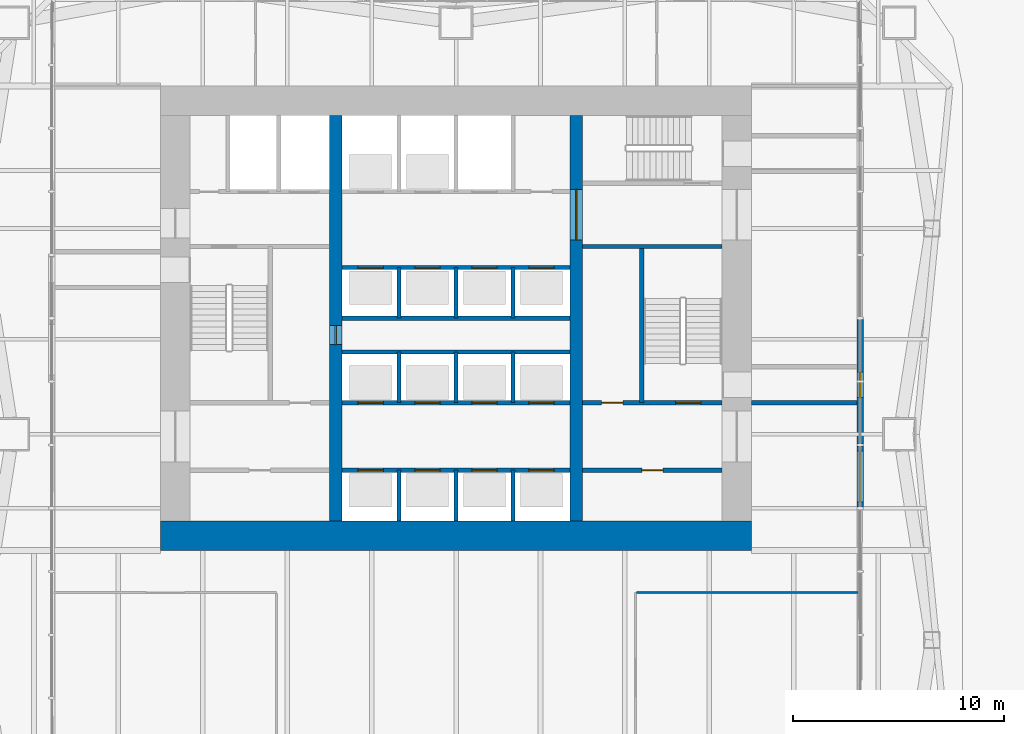
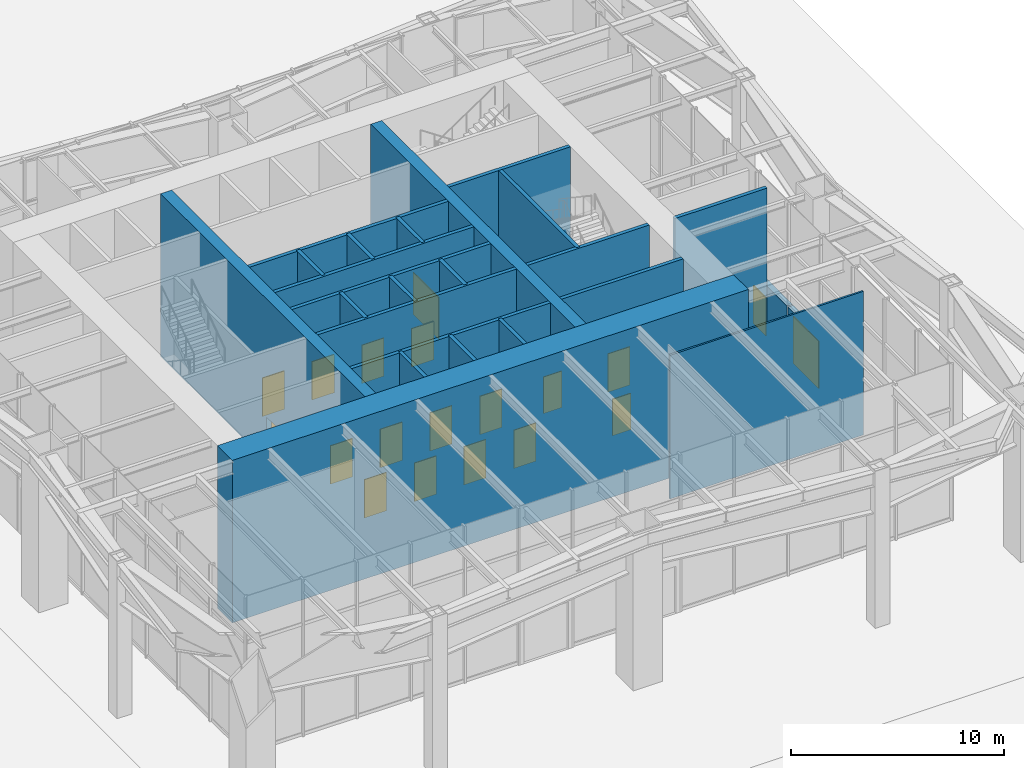
# One storey, part 8 of 13: 25 walls, 19 doors, 19 openings.
"""IFC4 building model written with IfcOpenShell, lengths in metres."""

from ifc_helpers import new_model, si_unit, direction, frame, frame_2d, origin, place, context, subcontext, project, spatial, rectangle, extrude, material, layer, layer_set, type_object, element, fill, save


model = new_model("IFC4")

# Units and contexts
model_context = context("Model", 3, precision=1e-05, world=origin(), true_north=direction((0.0, 1.0)))
body_context = subcontext(model_context, "Body", "Model", "MODEL_VIEW")
ifc_project = project(units=[si_unit("LENGTHUNIT", "METRE"), si_unit("AREAUNIT", "SQUARE_METRE"), si_unit("VOLUMEUNIT", "CUBIC_METRE"), si_unit("PLANEANGLEUNIT", "RADIAN"), si_unit("MASSUNIT", "GRAM", prefix="KILO")], contexts=[model_context])

# Site, building, storey
site_placement = place(None, origin())
site = spatial("IfcSite", under=ifc_project, at=site_placement, CompositionType="ELEMENT")
building_placement = place(site_placement, origin())
building = spatial("IfcBuilding", under=site, at=building_placement, Name="Verdant Reach Tower", CompositionType="ELEMENT")
storey_placement = place(building_placement, origin())
storey = spatial("IfcBuildingStorey", under=building, at=storey_placement, Name="G", CompositionType="ELEMENT", Elevation=0.0)

# Wall
ifc_material_1 = material(Name="Concrete C40/50", Category="concrete")
ifc_layer_1 = layer(ifc_material_1, 0.199951171875)
ifc_layer_set_1 = layer_set([ifc_layer_1], Name="CO-WALL-PASSAGE")
wall_type_1 = type_object("IfcWallType", Name="CO-WALL-PASSAGE", PredefinedType="PARTITIONING", material=ifc_layer_set_1)
wall_1_placement = place(storey_placement, frame((14.0, 24.0, 0.0), z_axis=(0.0, 0.0, 1.0), x_axis=(1.0, 0.0, 0.0)))
element("IfcWall", 1, at=wall_1_placement, inside=storey, type_object=wall_type_1, Name="Exit passage wall, G", PredefinedType="PARTITIONING", context=body_context, shape_type="SweptSolid", body=[
    extrude(rectangle(XDim=5.0, YDim=0.199951171875, at=frame_2d((2.5, 0.0))), origin(), (0.0, 0.0, 1.0), 8.75),
])

# Wall, opening, door
ifc_material_2 = material(Name="Gypsum board on steel studs", Category="steel")
ifc_layer_2 = layer(ifc_material_2, 0.199951171875)
ifc_layer_set_2 = layer_set([ifc_layer_2], Name="CO-WALL-ROOM")
wall_type_2 = type_object("IfcWallType", Name="CO-WALL-ROOM", PredefinedType="PARTITIONING", material=ifc_layer_set_2)
wall_2_placement = place(storey_placement, frame((6.0, 20.800048828125, 0.0), z_axis=(0.0, 0.0, 1.0), x_axis=(1.0, 0.0, 0.0)))
wall_2 = element("IfcWall", 2, at=wall_2_placement, inside=storey, type_object=wall_type_2, Name="Core partition, G", PredefinedType="PARTITIONING", context=body_context, shape_type="SweptSolid", body=[
    extrude(rectangle(XDim=6.60009765625, YDim=0.199951171875, at=frame_2d((3.300048828125, 0.0))), origin(), (0.0, 0.0, 1.0), 8.8701171875),
])
opening_1_placement = place(wall_2_placement, frame((2.800048828125, 0.0, 0.0)))
opening_1 = element("IfcOpeningElement", 3, at=opening_1_placement, cuts=wall_2, Name="Opening CD", PredefinedType="OPENING", context=body_context, shape_type="SweptSolid", body=[
    extrude(rectangle(XDim=1.0, YDim=2.10009765625, at=frame_2d((0.5, 1.050048828125))), frame((0.0, 0.10986328125, 0.0), z_axis=(0.0, -1.0, 0.0), x_axis=(1.0, 0.0, 0.0)), (0.0, 0.0, 1.0), 0.219970703125),
])
ifc_material_3 = material(Name="Timber", Category="wood")
door_type_1 = type_object("IfcDoorType", Name="CO-DOOR-ROOM", OperationType="NOTDEFINED", PredefinedType="DOOR", material=ifc_material_3)
door_1_placement = place(opening_1_placement, origin())
door_1 = element("IfcDoor", 4, at=door_1_placement, inside=storey, type_object=door_type_1, Name="Core room door, G", OperationType="SINGLE_SWING_RIGHT", OverallHeight=2.10009765625, OverallWidth=1.0, PredefinedType="DOOR", context=body_context, shape_type="SweptSolid", body=[
    extrude(rectangle(XDim=1.0, YDim=2.10009765625, at=frame_2d((0.5, 1.050048828125))), frame((0.0, 0.02490234375, 0.0), z_axis=(0.0, -1.0, 0.0), x_axis=(1.0, 0.0, 0.0)), (0.0, 0.0, 1.0), 0.050048828125),
])
fill(opening_1, door_1)

# Wall, openings, doors
ifc_layer_3 = layer(ifc_material_1, 0.199951171875)
ifc_layer_set_3 = layer_set([ifc_layer_3], Name="CO-WALL-SHAFT")
wall_type_3 = type_object("IfcWallType", Name="CO-WALL-SHAFT", PredefinedType="PARTITIONING", material=ifc_layer_set_3)
wall_3_placement = place(storey_placement, frame((-5.39990234375, 20.800048828125, 0.0), z_axis=(0.0, 0.0, 1.0), x_axis=(1.0, 0.0, 0.0)))
wall_3 = element("IfcWall", 5, at=wall_3_placement, inside=storey, type_object=wall_type_3, Name="Lift shaft wall, G", PredefinedType="PARTITIONING", context=body_context, shape_type="SweptSolid", body=[
    extrude(rectangle(XDim=10.7998046875, YDim=0.199951171875, at=frame_2d((5.39990234375, 0.0))), origin(), (0.0, 0.0, 1.0), 8.8701171875),
])
opening_2_placement = place(wall_3_placement, frame((0.75, 0.0, 0.0)))
opening_2 = element("IfcOpeningElement", 6, at=opening_2_placement, cuts=wall_3, Name="Opening LD-A1", PredefinedType="OPENING", context=body_context, shape_type="SweptSolid", body=[
    extrude(rectangle(XDim=1.199951171875, YDim=2.199951171875, at=frame_2d((0.60009765625, 1.10009765625))), frame((0.0, 0.10986328125, 0.0), z_axis=(0.0, -1.0, 0.0), x_axis=(1.0, 0.0, 0.0)), (0.0, 0.0, 1.0), 0.219970703125),
])
opening_3_placement = place(wall_3_placement, frame((3.449951171875, 0.0, 0.0)))
opening_3 = element("IfcOpeningElement", 7, at=opening_3_placement, cuts=wall_3, Name="Opening LD-A2", PredefinedType="OPENING", context=body_context, shape_type="SweptSolid", body=[
    extrude(rectangle(XDim=1.199951171875, YDim=2.199951171875, at=frame_2d((0.60009765625, 1.10009765625))), frame((0.0, 0.10986328125, 0.0), z_axis=(0.0, -1.0, 0.0), x_axis=(1.0, 0.0, 0.0)), (0.0, 0.0, 1.0), 0.219970703125),
])
opening_4_placement = place(wall_3_placement, frame((6.14990234375, 0.0, 0.0)))
opening_4 = element("IfcOpeningElement", 8, at=opening_4_placement, cuts=wall_3, Name="Opening LD-A3", PredefinedType="OPENING", context=body_context, shape_type="SweptSolid", body=[
    extrude(rectangle(XDim=1.199951171875, YDim=2.199951171875, at=frame_2d((0.60009765625, 1.10009765625))), frame((0.0, 0.10986328125, 0.0), z_axis=(0.0, -1.0, 0.0), x_axis=(1.0, 0.0, 0.0)), (0.0, 0.0, 1.0), 0.219970703125),
])
opening_5_placement = place(wall_3_placement, frame((8.85009765625, 0.0, 0.0)))
opening_5 = element("IfcOpeningElement", 9, at=opening_5_placement, cuts=wall_3, Name="Opening LD-A4", PredefinedType="OPENING", context=body_context, shape_type="SweptSolid", body=[
    extrude(rectangle(XDim=1.199951171875, YDim=2.199951171875, at=frame_2d((0.60009765625, 1.10009765625))), frame((0.0, 0.10986328125, 0.0), z_axis=(0.0, -1.0, 0.0), x_axis=(1.0, 0.0, 0.0)), (0.0, 0.0, 1.0), 0.219970703125),
])
ifc_material_4 = material(Name="Stainless steel", Category="steel")
door_type_2 = type_object("IfcDoorType", Name="CO-DOOR-LANDING", OperationType="SLIDING_TO_LEFT", PredefinedType="DOOR", material=ifc_material_4)
door_2_placement = place(opening_2_placement, origin())
door_2 = element("IfcDoor", 10, at=door_2_placement, inside=storey, type_object=door_type_2, Name="Landing door A1, G", OperationType="SLIDING_TO_LEFT", OverallHeight=2.199951171875, OverallWidth=1.199951171875, PredefinedType="DOOR", context=body_context, shape_type="SweptSolid", body=[
    extrude(rectangle(XDim=1.199951171875, YDim=2.199951171875, at=frame_2d((0.60009765625, 1.10009765625))), frame((0.0, 0.02490234375, 0.0), z_axis=(0.0, -1.0, 0.0), x_axis=(1.0, 0.0, 0.0)), (0.0, 0.0, 1.0), 0.050048828125),
])
fill(opening_2, door_2)
door_3_placement = place(opening_3_placement, origin())
door_3 = element("IfcDoor", 11, at=door_3_placement, inside=storey, type_object=door_type_2, Name="Landing door A2, G", OperationType="SLIDING_TO_LEFT", OverallHeight=2.199951171875, OverallWidth=1.199951171875, PredefinedType="DOOR", context=body_context, shape_type="SweptSolid", body=[
    extrude(rectangle(XDim=1.199951171875, YDim=2.199951171875, at=frame_2d((0.60009765625, 1.10009765625))), frame((0.0, 0.02490234375, 0.0), z_axis=(0.0, -1.0, 0.0), x_axis=(1.0, 0.0, 0.0)), (0.0, 0.0, 1.0), 0.050048828125),
])
fill(opening_3, door_3)
door_4_placement = place(opening_4_placement, origin())
door_4 = element("IfcDoor", 12, at=door_4_placement, inside=storey, type_object=door_type_2, Name="Landing door A3, G", OperationType="SLIDING_TO_LEFT", OverallHeight=2.199951171875, OverallWidth=1.199951171875, PredefinedType="DOOR", context=body_context, shape_type="SweptSolid", body=[
    extrude(rectangle(XDim=1.199951171875, YDim=2.199951171875, at=frame_2d((0.60009765625, 1.10009765625))), frame((0.0, 0.02490234375, 0.0), z_axis=(0.0, -1.0, 0.0), x_axis=(1.0, 0.0, 0.0)), (0.0, 0.0, 1.0), 0.050048828125),
])
fill(opening_4, door_4)
door_5_placement = place(opening_5_placement, origin())
door_5 = element("IfcDoor", 13, at=door_5_placement, inside=storey, type_object=door_type_2, Name="Landing door A4, G", OperationType="SLIDING_TO_LEFT", OverallHeight=2.199951171875, OverallWidth=1.199951171875, PredefinedType="DOOR", context=body_context, shape_type="SweptSolid", body=[
    extrude(rectangle(XDim=1.199951171875, YDim=2.199951171875, at=frame_2d((0.60009765625, 1.10009765625))), frame((0.0, 0.02490234375, 0.0), z_axis=(0.0, -1.0, 0.0), x_axis=(1.0, 0.0, 0.0)), (0.0, 0.0, 1.0), 0.050048828125),
])
fill(opening_5, door_5)

wall_4_placement = place(storey_placement, frame((-5.39990234375, 24.0, 0.0), z_axis=(0.0, 0.0, 1.0), x_axis=(1.0, 0.0, 0.0)))
wall_4 = element("IfcWall", 14, at=wall_4_placement, inside=storey, type_object=wall_type_3, Name="Lift shaft wall, G", PredefinedType="PARTITIONING", context=body_context, shape_type="SweptSolid", body=[
    extrude(rectangle(XDim=10.7998046875, YDim=0.199951171875, at=frame_2d((5.39990234375, 0.0))), origin(), (0.0, 0.0, 1.0), 8.8701171875),
])
opening_6_placement = place(wall_4_placement, frame((0.75, 0.0, 0.0)))
opening_6 = element("IfcOpeningElement", 15, at=opening_6_placement, cuts=wall_4, Name="Opening LD-A5", PredefinedType="OPENING", context=body_context, shape_type="SweptSolid", body=[
    extrude(rectangle(XDim=1.199951171875, YDim=2.199951171875, at=frame_2d((0.60009765625, 1.10009765625))), frame((0.0, 0.10986328125, 0.0), z_axis=(0.0, -1.0, 0.0), x_axis=(1.0, 0.0, 0.0)), (0.0, 0.0, 1.0), 0.219970703125),
])
opening_7_placement = place(wall_4_placement, frame((3.449951171875, 0.0, 0.0)))
opening_7 = element("IfcOpeningElement", 16, at=opening_7_placement, cuts=wall_4, Name="Opening LD-A6", PredefinedType="OPENING", context=body_context, shape_type="SweptSolid", body=[
    extrude(rectangle(XDim=1.199951171875, YDim=2.199951171875, at=frame_2d((0.60009765625, 1.10009765625))), frame((0.0, 0.10986328125, 0.0), z_axis=(0.0, -1.0, 0.0), x_axis=(1.0, 0.0, 0.0)), (0.0, 0.0, 1.0), 0.219970703125),
])
opening_8_placement = place(wall_4_placement, frame((6.14990234375, 0.0, 0.0)))
opening_8 = element("IfcOpeningElement", 17, at=opening_8_placement, cuts=wall_4, Name="Opening LD-A7", PredefinedType="OPENING", context=body_context, shape_type="SweptSolid", body=[
    extrude(rectangle(XDim=1.199951171875, YDim=2.199951171875, at=frame_2d((0.60009765625, 1.10009765625))), frame((0.0, 0.10986328125, 0.0), z_axis=(0.0, -1.0, 0.0), x_axis=(1.0, 0.0, 0.0)), (0.0, 0.0, 1.0), 0.219970703125),
])
opening_9_placement = place(wall_4_placement, frame((8.85009765625, 0.0, 0.0)))
opening_9 = element("IfcOpeningElement", 18, at=opening_9_placement, cuts=wall_4, Name="Opening LD-A8", PredefinedType="OPENING", context=body_context, shape_type="SweptSolid", body=[
    extrude(rectangle(XDim=1.199951171875, YDim=2.199951171875, at=frame_2d((0.60009765625, 1.10009765625))), frame((0.0, 0.10986328125, 0.0), z_axis=(0.0, -1.0, 0.0), x_axis=(1.0, 0.0, 0.0)), (0.0, 0.0, 1.0), 0.219970703125),
])
door_6_placement = place(opening_6_placement, origin())
door_6 = element("IfcDoor", 19, at=door_6_placement, inside=storey, type_object=door_type_2, Name="Landing door A5, G", OperationType="SLIDING_TO_LEFT", OverallHeight=2.199951171875, OverallWidth=1.199951171875, PredefinedType="DOOR", context=body_context, shape_type="SweptSolid", body=[
    extrude(rectangle(XDim=1.199951171875, YDim=2.199951171875, at=frame_2d((0.60009765625, 1.10009765625))), frame((0.0, 0.02490234375, 0.0), z_axis=(0.0, -1.0, 0.0), x_axis=(1.0, 0.0, 0.0)), (0.0, 0.0, 1.0), 0.050048828125),
])
fill(opening_6, door_6)
door_7_placement = place(opening_7_placement, origin())
door_7 = element("IfcDoor", 20, at=door_7_placement, inside=storey, type_object=door_type_2, Name="Landing door A6, G", OperationType="SLIDING_TO_LEFT", OverallHeight=2.199951171875, OverallWidth=1.199951171875, PredefinedType="DOOR", context=body_context, shape_type="SweptSolid", body=[
    extrude(rectangle(XDim=1.199951171875, YDim=2.199951171875, at=frame_2d((0.60009765625, 1.10009765625))), frame((0.0, 0.02490234375, 0.0), z_axis=(0.0, -1.0, 0.0), x_axis=(1.0, 0.0, 0.0)), (0.0, 0.0, 1.0), 0.050048828125),
])
fill(opening_7, door_7)
door_8_placement = place(opening_8_placement, origin())
door_8 = element("IfcDoor", 21, at=door_8_placement, inside=storey, type_object=door_type_2, Name="Landing door A7, G", OperationType="SLIDING_TO_LEFT", OverallHeight=2.199951171875, OverallWidth=1.199951171875, PredefinedType="DOOR", context=body_context, shape_type="SweptSolid", body=[
    extrude(rectangle(XDim=1.199951171875, YDim=2.199951171875, at=frame_2d((0.60009765625, 1.10009765625))), frame((0.0, 0.02490234375, 0.0), z_axis=(0.0, -1.0, 0.0), x_axis=(1.0, 0.0, 0.0)), (0.0, 0.0, 1.0), 0.050048828125),
])
fill(opening_8, door_8)
door_9_placement = place(opening_9_placement, origin())
door_9 = element("IfcDoor", 22, at=door_9_placement, inside=storey, type_object=door_type_2, Name="Landing door A8, G", OperationType="SLIDING_TO_LEFT", OverallHeight=2.199951171875, OverallWidth=1.199951171875, PredefinedType="DOOR", context=body_context, shape_type="SweptSolid", body=[
    extrude(rectangle(XDim=1.199951171875, YDim=2.199951171875, at=frame_2d((0.60009765625, 1.10009765625))), frame((0.0, 0.02490234375, 0.0), z_axis=(0.0, -1.0, 0.0), x_axis=(1.0, 0.0, 0.0)), (0.0, 0.0, 1.0), 0.050048828125),
])
fill(opening_9, door_9)

# Walls
for number, where, z_axis, x_axis, name in (
    (23, (-5.39990234375, 26.39990234375, 0.0), (0.0, 0.0, 1.0), (1.0, 0.0, 0.0), "Lift shaft wall, G"),
    (24, (-5.39990234375, 28.0, 0.0), (0.0, 0.0, 1.0), (1.0, 0.0, 0.0), "Lift shaft wall, G"),
):
    element("IfcWall", number, at=place(storey_placement, frame(where, z_axis=z_axis, x_axis=x_axis)), inside=storey, type_object=wall_type_3, Name=name, PredefinedType="PARTITIONING", context=body_context, shape_type="SweptSolid", body=[
        extrude(rectangle(XDim=10.7998046875, YDim=0.199951171875, at=frame_2d((5.39990234375, 0.0))), origin(), (0.0, 0.0, 1.0), 8.8701171875),
    ])

# Wall, openings, doors
wall_5_placement = place(storey_placement, frame((-5.39990234375, 30.39990234375, 0.0), z_axis=(0.0, 0.0, 1.0), x_axis=(1.0, 0.0, 0.0)))
wall_5 = element("IfcWall", 25, at=wall_5_placement, inside=storey, type_object=wall_type_3, Name="Lift shaft wall, G", PredefinedType="PARTITIONING", context=body_context, shape_type="SweptSolid", body=[
    extrude(rectangle(XDim=10.7998046875, YDim=0.199951171875, at=frame_2d((5.39990234375, 0.0))), origin(), (0.0, 0.0, 1.0), 8.8701171875),
])
opening_10_placement = place(wall_5_placement, frame((0.75, 0.0, 0.0)))
opening_10 = element("IfcOpeningElement", 26, at=opening_10_placement, cuts=wall_5, Name="Opening LD-S1", PredefinedType="OPENING", context=body_context, shape_type="SweptSolid", body=[
    extrude(rectangle(XDim=1.199951171875, YDim=2.199951171875, at=frame_2d((0.60009765625, 1.10009765625))), frame((0.0, 0.10986328125, 0.0), z_axis=(0.0, -1.0, 0.0), x_axis=(1.0, 0.0, 0.0)), (0.0, 0.0, 1.0), 0.219970703125),
])
opening_11_placement = place(wall_5_placement, frame((3.449951171875, 0.0, 0.0)))
opening_11 = element("IfcOpeningElement", 27, at=opening_11_placement, cuts=wall_5, Name="Opening LD-S2", PredefinedType="OPENING", context=body_context, shape_type="SweptSolid", body=[
    extrude(rectangle(XDim=1.199951171875, YDim=2.199951171875, at=frame_2d((0.60009765625, 1.10009765625))), frame((0.0, 0.10986328125, 0.0), z_axis=(0.0, -1.0, 0.0), x_axis=(1.0, 0.0, 0.0)), (0.0, 0.0, 1.0), 0.219970703125),
])
opening_12_placement = place(wall_5_placement, frame((6.14990234375, 0.0, 0.0)))
opening_12 = element("IfcOpeningElement", 28, at=opening_12_placement, cuts=wall_5, Name="Opening LD-S3", PredefinedType="OPENING", context=body_context, shape_type="SweptSolid", body=[
    extrude(rectangle(XDim=1.199951171875, YDim=2.199951171875, at=frame_2d((0.60009765625, 1.10009765625))), frame((0.0, 0.10986328125, 0.0), z_axis=(0.0, -1.0, 0.0), x_axis=(1.0, 0.0, 0.0)), (0.0, 0.0, 1.0), 0.219970703125),
])
opening_13_placement = place(wall_5_placement, frame((8.85009765625, 0.0, 0.0)))
opening_13 = element("IfcOpeningElement", 29, at=opening_13_placement, cuts=wall_5, Name="Opening LD-S4", PredefinedType="OPENING", context=body_context, shape_type="SweptSolid", body=[
    extrude(rectangle(XDim=1.199951171875, YDim=2.199951171875, at=frame_2d((0.60009765625, 1.10009765625))), frame((0.0, 0.10986328125, 0.0), z_axis=(0.0, -1.0, 0.0), x_axis=(1.0, 0.0, 0.0)), (0.0, 0.0, 1.0), 0.219970703125),
])
door_10_placement = place(opening_10_placement, origin())
door_10 = element("IfcDoor", 30, at=door_10_placement, inside=storey, type_object=door_type_2, Name="Landing door S1, G", OperationType="SLIDING_TO_LEFT", OverallHeight=2.199951171875, OverallWidth=1.199951171875, PredefinedType="DOOR", context=body_context, shape_type="SweptSolid", body=[
    extrude(rectangle(XDim=1.199951171875, YDim=2.199951171875, at=frame_2d((0.60009765625, 1.10009765625))), frame((0.0, 0.02490234375, 0.0), z_axis=(0.0, -1.0, 0.0), x_axis=(1.0, 0.0, 0.0)), (0.0, 0.0, 1.0), 0.050048828125),
])
fill(opening_10, door_10)
door_11_placement = place(opening_11_placement, origin())
door_11 = element("IfcDoor", 31, at=door_11_placement, inside=storey, type_object=door_type_2, Name="Landing door S2, G", OperationType="SLIDING_TO_LEFT", OverallHeight=2.199951171875, OverallWidth=1.199951171875, PredefinedType="DOOR", context=body_context, shape_type="SweptSolid", body=[
    extrude(rectangle(XDim=1.199951171875, YDim=2.199951171875, at=frame_2d((0.60009765625, 1.10009765625))), frame((0.0, 0.02490234375, 0.0), z_axis=(0.0, -1.0, 0.0), x_axis=(1.0, 0.0, 0.0)), (0.0, 0.0, 1.0), 0.050048828125),
])
fill(opening_11, door_11)
door_12_placement = place(opening_12_placement, origin())
door_12 = element("IfcDoor", 32, at=door_12_placement, inside=storey, type_object=door_type_2, Name="Landing door S3, G", OperationType="SLIDING_TO_LEFT", OverallHeight=2.199951171875, OverallWidth=1.199951171875, PredefinedType="DOOR", context=body_context, shape_type="SweptSolid", body=[
    extrude(rectangle(XDim=1.199951171875, YDim=2.199951171875, at=frame_2d((0.60009765625, 1.10009765625))), frame((0.0, 0.02490234375, 0.0), z_axis=(0.0, -1.0, 0.0), x_axis=(1.0, 0.0, 0.0)), (0.0, 0.0, 1.0), 0.050048828125),
])
fill(opening_12, door_12)
door_13_placement = place(opening_13_placement, origin())
door_13 = element("IfcDoor", 33, at=door_13_placement, inside=storey, type_object=door_type_2, Name="Landing door S4, G", OperationType="SLIDING_TO_LEFT", OverallHeight=2.199951171875, OverallWidth=1.199951171875, PredefinedType="DOOR", context=body_context, shape_type="SweptSolid", body=[
    extrude(rectangle(XDim=1.199951171875, YDim=2.199951171875, at=frame_2d((0.60009765625, 1.10009765625))), frame((0.0, 0.02490234375, 0.0), z_axis=(0.0, -1.0, 0.0), x_axis=(1.0, 0.0, 0.0)), (0.0, 0.0, 1.0), 0.050048828125),
])
fill(opening_13, door_13)

# Walls
wall_6_placement = place(storey_placement, frame((-2.699951171875, 18.39990234375, 0.0), z_axis=(0.0, 0.0, 1.0), x_axis=(0.0, 1.0, 0.0)))
element("IfcWall", 34, at=wall_6_placement, inside=storey, type_object=wall_type_3, Name="Lift shaft wall, G", PredefinedType="PARTITIONING", context=body_context, shape_type="SweptSolid", body=[
    extrude(rectangle(XDim=2.400146484375, YDim=0.199951171875, at=frame_2d((1.2001953125, 0.0))), origin(), (0.0, 0.0, 1.0), 8.8701171875),
])
for number, where, z_axis, x_axis, name in (
    (35, (-2.699951171875, 24.0, 0.0), (0.0, 0.0, 1.0), (0.0, 1.0, 0.0), "Lift shaft wall, G"),
    (36, (-2.699951171875, 28.0, 0.0), (0.0, 0.0, 1.0), (0.0, 1.0, 0.0), "Lift shaft wall, G"),
):
    element("IfcWall", number, at=place(storey_placement, frame(where, z_axis=z_axis, x_axis=x_axis)), inside=storey, type_object=wall_type_3, Name=name, PredefinedType="PARTITIONING", context=body_context, shape_type="SweptSolid", body=[
        extrude(rectangle(XDim=2.39990234375, YDim=0.199951171875, at=frame_2d((1.199951171875, 0.0))), origin(), (0.0, 0.0, 1.0), 8.8701171875),
    ])
wall_7_placement = place(storey_placement, frame((0.0, 18.39990234375, 0.0), z_axis=(0.0, 0.0, 1.0), x_axis=(0.0, 1.0, 0.0)))
element("IfcWall", 37, at=wall_7_placement, inside=storey, type_object=wall_type_3, Name="Lift shaft wall, G", PredefinedType="PARTITIONING", context=body_context, shape_type="SweptSolid", body=[
    extrude(rectangle(XDim=2.400146484375, YDim=0.199951171875, at=frame_2d((1.2001953125, 0.0))), origin(), (0.0, 0.0, 1.0), 8.8701171875),
])
for number, where, z_axis, x_axis, name in (
    (38, (0.0, 24.0, 0.0), (0.0, 0.0, 1.0), (0.0, 1.0, 0.0), "Lift shaft wall, G"),
    (39, (0.0, 28.0, 0.0), (0.0, 0.0, 1.0), (0.0, 1.0, 0.0), "Lift shaft wall, G"),
):
    element("IfcWall", number, at=place(storey_placement, frame(where, z_axis=z_axis, x_axis=x_axis)), inside=storey, type_object=wall_type_3, Name=name, PredefinedType="PARTITIONING", context=body_context, shape_type="SweptSolid", body=[
        extrude(rectangle(XDim=2.39990234375, YDim=0.199951171875, at=frame_2d((1.199951171875, 0.0))), origin(), (0.0, 0.0, 1.0), 8.8701171875),
    ])
wall_8_placement = place(storey_placement, frame((2.699951171875, 18.39990234375, 0.0), z_axis=(0.0, 0.0, 1.0), x_axis=(0.0, 1.0, 0.0)))
element("IfcWall", 40, at=wall_8_placement, inside=storey, type_object=wall_type_3, Name="Lift shaft wall, G", PredefinedType="PARTITIONING", context=body_context, shape_type="SweptSolid", body=[
    extrude(rectangle(XDim=2.400146484375, YDim=0.199951171875, at=frame_2d((1.2001953125, 0.0))), origin(), (0.0, 0.0, 1.0), 8.8701171875),
])
for number, where, z_axis, x_axis, name in (
    (41, (2.699951171875, 24.0, 0.0), (0.0, 0.0, 1.0), (0.0, 1.0, 0.0), "Lift shaft wall, G"),
    (42, (2.699951171875, 28.0, 0.0), (0.0, 0.0, 1.0), (0.0, 1.0, 0.0), "Lift shaft wall, G"),
):
    element("IfcWall", number, at=place(storey_placement, frame(where, z_axis=z_axis, x_axis=x_axis)), inside=storey, type_object=wall_type_3, Name=name, PredefinedType="PARTITIONING", context=body_context, shape_type="SweptSolid", body=[
        extrude(rectangle(XDim=2.39990234375, YDim=0.199951171875, at=frame_2d((1.199951171875, 0.0))), origin(), (0.0, 0.0, 1.0), 8.8701171875),
    ])

# Wall, openings, doors
ifc_layer_4 = layer(ifc_material_1, 0.199951171875)
ifc_layer_set_4 = layer_set([ifc_layer_4], Name="CO-WALL-STAIR")
wall_type_4 = type_object("IfcWallType", Name="CO-WALL-STAIR", PredefinedType="PARTITIONING", material=ifc_layer_set_4)
wall_9_placement = place(storey_placement, frame((6.0, 24.0, 0.0), z_axis=(0.0, 0.0, 1.0), x_axis=(1.0, 0.0, 0.0)))
wall_9 = element("IfcWall", 43, at=wall_9_placement, inside=storey, type_object=wall_type_4, Name="Stair enclosure wall, G", PredefinedType="PARTITIONING", context=body_context, shape_type="SweptSolid", body=[
    extrude(rectangle(XDim=6.60009765625, YDim=0.199951171875, at=frame_2d((3.300048828125, 0.0))), origin(), (0.0, 0.0, 1.0), 8.8701171875),
])
opening_14_placement = place(wall_9_placement, frame((0.89990234375, 0.0, 0.0)))
opening_14 = element("IfcOpeningElement", 44, at=opening_14_placement, cuts=wall_9, Name="Opening CD", PredefinedType="OPENING", context=body_context, shape_type="SweptSolid", body=[
    extrude(rectangle(XDim=1.0, YDim=2.10009765625, at=frame_2d((0.5, 1.050048828125))), frame((0.0, 0.10986328125, 0.0), z_axis=(0.0, -1.0, 0.0), x_axis=(1.0, 0.0, 0.0)), (0.0, 0.0, 1.0), 0.219970703125),
])
opening_15_placement = place(wall_9_placement, frame((4.39990234375, 0.0, 0.0)))
opening_15 = element("IfcOpeningElement", 45, at=opening_15_placement, cuts=wall_9, Name="Opening SD", PredefinedType="OPENING", context=body_context, shape_type="SweptSolid", body=[
    extrude(rectangle(XDim=1.199951171875, YDim=2.199951171875, at=frame_2d((0.60009765625, 1.10009765625))), frame((0.0, 0.10986328125, 0.0), z_axis=(0.0, -1.0, 0.0), x_axis=(1.0, 0.0, 0.0)), (0.0, 0.0, 1.0), 0.219970703125),
])
door_14_placement = place(opening_14_placement, origin())
door_14 = element("IfcDoor", 46, at=door_14_placement, inside=storey, type_object=door_type_1, Name="Core room door, G", OperationType="SINGLE_SWING_LEFT", OverallHeight=2.10009765625, OverallWidth=1.0, PredefinedType="DOOR", context=body_context, shape_type="SweptSolid", body=[
    extrude(rectangle(XDim=1.0, YDim=2.10009765625, at=frame_2d((0.5, 1.050048828125))), frame((0.0, 0.02490234375, 0.0), z_axis=(0.0, -1.0, 0.0), x_axis=(1.0, 0.0, 0.0)), (0.0, 0.0, 1.0), 0.050048828125),
])
fill(opening_14, door_14)
ifc_material_5 = material(Name="Steel", Category="steel")
door_type_3 = type_object("IfcDoorType", Name="CO-DOOR-STAIR", OperationType="NOTDEFINED", PredefinedType="DOOR", material=ifc_material_5)
door_15_placement = place(opening_15_placement, origin())
door_15 = element("IfcDoor", 47, at=door_15_placement, inside=storey, type_object=door_type_3, Name="Stair door, G", OperationType="SINGLE_SWING_LEFT", OverallHeight=2.199951171875, OverallWidth=1.199951171875, PredefinedType="DOOR", context=body_context, shape_type="SweptSolid", body=[
    extrude(rectangle(XDim=1.199951171875, YDim=2.199951171875, at=frame_2d((0.60009765625, 1.10009765625))), frame((0.0, 0.02490234375, 0.0), z_axis=(0.0, -1.0, 0.0), x_axis=(1.0, 0.0, 0.0)), (0.0, 0.0, 1.0), 0.050048828125),
])
fill(opening_15, door_15)

# Walls
wall_10_placement = place(storey_placement, frame((6.0, 31.39990234375, 0.0), z_axis=(0.0, 0.0, 1.0), x_axis=(1.0, 0.0, 0.0)))
element("IfcWall", 48, at=wall_10_placement, inside=storey, type_object=wall_type_4, Name="Stair enclosure wall, G", PredefinedType="PARTITIONING", context=body_context, shape_type="SweptSolid", body=[
    extrude(rectangle(XDim=6.60009765625, YDim=0.199951171875, at=frame_2d((3.300048828125, 0.0))), origin(), (0.0, 0.0, 1.0), 8.8701171875),
])
wall_11_placement = place(storey_placement, frame((8.800048828125, 24.0, 0.0), z_axis=(0.0, 0.0, 1.0), x_axis=(0.0, 1.0, 0.0)))
element("IfcWall", 49, at=wall_11_placement, inside=storey, type_object=wall_type_4, Name="Stair enclosure wall, G", PredefinedType="PARTITIONING", context=body_context, shape_type="SweptSolid", body=[
    extrude(rectangle(XDim=7.39990234375, YDim=0.199951171875, at=frame_2d((3.699951171875, 0.0))), origin(), (0.0, 0.0, 1.0), 8.8701171875),
])

# Wall, opening, door
ifc_material_6 = material(Name="Glazed aluminium entrance screen", Category="aluminium")
ifc_layer_5 = layer(ifc_material_6, 0.300048828125)
ifc_layer_set_5 = layer_set([ifc_layer_5], Name="EN-ENTRANCE WALL")
wall_type_5 = type_object("IfcWallType", Name="EN-ENTRANCE WALL", PredefinedType="SOLIDWALL", material=ifc_layer_set_5)
wall_12_placement = place(storey_placement, frame((19.14990234375, 19.050048828125, 0.0), z_axis=(0.0, 0.0, 1.0), x_axis=(0.0, 1.0, 0.0)))
wall_12 = element("IfcWall", 50, at=wall_12_placement, inside=storey, type_object=wall_type_5, Name="Entrance screen, east face part 1 bay 5", PredefinedType="SOLIDWALL", context=body_context, shape_type="SweptSolid", body=[
    extrude(rectangle(XDim=2.89990234375, YDim=0.300048828125, at=frame_2d((1.449951171875, 0.0))), origin(), (0.0, 0.0, 1.0), 3.110107421875),
])
opening_16_placement = place(wall_12_placement, frame((0.25, 0.0, 0.0)))
opening_16 = element("IfcOpeningElement", 51, at=opening_16_placement, cuts=wall_12, Name="Opening ED1", PredefinedType="OPENING", context=body_context, shape_type="SweptSolid", body=[
    extrude(rectangle(XDim=2.39990234375, YDim=2.699951171875, at=frame_2d((1.199951171875, 1.35009765625))), frame((0.0, 0.159912109375, 0.0), z_axis=(0.0, -1.0, 0.0), x_axis=(1.0, 0.0, 0.0)), (0.0, 0.0, 1.0), 0.320068359375),
])
ifc_material_7 = material(Name="Aluminium framed glazed door", Category="aluminium")
door_type_4 = type_object("IfcDoorType", Name="EN-DOOR ENTRANCE", OperationType="DOUBLE_DOOR_SINGLE_SWING", PredefinedType="DOOR", material=ifc_material_7)
door_16_placement = place(opening_16_placement, origin())
door_16 = element("IfcDoor", 52, at=door_16_placement, inside=storey, type_object=door_type_4, Name="Entrance door, east face part 1 bay 5", OperationType="DOUBLE_DOOR_SINGLE_SWING", OverallHeight=2.699951171875, OverallWidth=2.39990234375, PredefinedType="DOOR", context=body_context, shape_type="SweptSolid", body=[
    extrude(rectangle(XDim=2.39990234375, YDim=2.699951171875, at=frame_2d((1.199951171875, 1.35009765625))), frame((0.0, 0.02490234375, 0.0), z_axis=(0.0, -1.0, 0.0), x_axis=(1.0, 0.0, 0.0)), (0.0, 0.0, 1.0), 0.050048828125),
])
fill(opening_16, door_16)

wall_13_placement = place(storey_placement, frame((19.14990234375, 22.050048828125, 0.0), z_axis=(0.0, 0.0, 1.0), x_axis=(0.0, 1.0, 0.0)))
wall_13 = element("IfcWall", 53, at=wall_13_placement, inside=storey, type_object=wall_type_5, Name="Exit screen ST-2, east face part 1 bays 6 to 7", PredefinedType="SOLIDWALL", context=body_context, shape_type="SweptSolid", body=[
    extrude(rectangle(XDim=5.89990234375, YDim=0.300048828125, at=frame_2d((2.949951171875, 0.0))), origin(), (0.0, 0.0, 1.0), 3.110107421875),
])
opening_17_placement = place(wall_13_placement, frame((2.199951171875, 0.0, 0.0)))
opening_17 = element("IfcOpeningElement", 54, at=opening_17_placement, cuts=wall_13, Name="Opening ED2", PredefinedType="OPENING", context=body_context, shape_type="SweptSolid", body=[
    extrude(rectangle(XDim=1.199951171875, YDim=2.199951171875, at=frame_2d((0.60009765625, 1.10009765625))), frame((0.0, 0.159912109375, 0.0), z_axis=(0.0, -1.0, 0.0), x_axis=(1.0, 0.0, 0.0)), (0.0, 0.0, 1.0), 0.320068359375),
])
door_type_5 = type_object("IfcDoorType", Name="EN-DOOR EXIT", OperationType="NOTDEFINED", PredefinedType="DOOR", material=ifc_material_7)
door_17_placement = place(opening_17_placement, origin())
door_17 = element("IfcDoor", 55, at=door_17_placement, inside=storey, type_object=door_type_5, Name="Final exit door ST-2", OperationType="SINGLE_SWING_RIGHT", OverallHeight=2.199951171875, OverallWidth=1.199951171875, PredefinedType="DOOR", context=body_context, shape_type="SweptSolid", body=[
    extrude(rectangle(XDim=1.199951171875, YDim=2.199951171875, at=frame_2d((0.60009765625, 1.10009765625))), frame((0.0, 0.02490234375, 0.0), z_axis=(0.0, -1.0, 0.0), x_axis=(1.0, 0.0, 0.0)), (0.0, 0.0, 1.0), 0.050048828125),
])
fill(opening_17, door_17)

# Wall
ifc_material_8 = material(Name="Concrete C70/85", Category="concrete")
ifc_layer_6 = layer(ifc_material_8, 1.39990234375)
ifc_layer_set_6 = layer_set([ifc_layer_6], Name="ST-CORE-WALL-1400")
wall_type_6 = type_object("IfcWallType", Name="ST-CORE-WALL-1400", PredefinedType="SHEAR", material=ifc_layer_set_6)
wall_14_placement = place(storey_placement, frame((-14.0, 17.699951171875, -0.449951171875), z_axis=(0.0, 0.0, 1.0), x_axis=(1.0, 0.0, 0.0)))
element("IfcWall", 56, at=wall_14_placement, inside=storey, type_object=wall_type_6, Name="Core wall S, G", PredefinedType="SHEAR", context=body_context, shape_type="SweptSolid", body=[
    extrude(rectangle(XDim=28.0, YDim=1.39990234375, at=frame_2d((14.0, 0.0))), origin(), (0.0, 0.0, 1.0), 9.320068359375),
])

# Wall, opening, door
ifc_layer_7 = layer(ifc_material_8, 0.60009765625)
ifc_layer_set_7 = layer_set([ifc_layer_7], Name="ST-CORE-WALL-600")
wall_type_7 = type_object("IfcWallType", Name="ST-CORE-WALL-600", PredefinedType="SHEAR", material=ifc_layer_set_7)
wall_15_placement = place(storey_placement, frame((-5.699951171875, 18.39990234375, -0.449951171875), z_axis=(0.0, 0.0, 1.0), x_axis=(0.0, 1.0, 0.0)))
wall_15 = element("IfcWall", 57, at=wall_15_placement, inside=storey, type_object=wall_type_7, Name="Core wall XW, G", PredefinedType="SHEAR", context=body_context, shape_type="SweptSolid", body=[
    extrude(rectangle(XDim=19.2001953125, YDim=0.60009765625, at=frame_2d((9.60009765625, 0.0))), origin(), (0.0, 0.0, 1.0), 9.320068359375),
])
opening_18_placement = place(wall_15_placement, frame((8.35009765625, 0.0, 0.449951171875)))
opening_18 = element("IfcOpeningElement", 58, at=opening_18_placement, cuts=wall_15, Name="Opening RD", PredefinedType="OPENING", context=body_context, shape_type="SweptSolid", body=[
    extrude(rectangle(XDim=0.89990234375, YDim=2.10009765625, at=frame_2d((0.449951171875, 1.050048828125))), frame((0.0, 0.31005859375, 0.0), z_axis=(0.0, -1.0, 0.0), x_axis=(1.0, 0.0, 0.0)), (0.0, 0.0, 1.0), 0.6201171875),
])
door_type_6 = type_object("IfcDoorType", Name="CO-DOOR-RISER", OperationType="NOTDEFINED", PredefinedType="DOOR", material=ifc_material_5)
door_18_placement = place(opening_18_placement, origin())
door_18 = element("IfcDoor", 59, at=door_18_placement, inside=storey, type_object=door_type_6, Name="Riser door, G", OperationType="SINGLE_SWING_RIGHT", OverallHeight=2.10009765625, OverallWidth=0.89990234375, PredefinedType="DOOR", context=body_context, shape_type="SweptSolid", body=[
    extrude(rectangle(XDim=0.89990234375, YDim=2.10009765625, at=frame_2d((0.449951171875, 1.050048828125))), frame((0.0, 0.02490234375, 0.0), z_axis=(0.0, -1.0, 0.0), x_axis=(1.0, 0.0, 0.0)), (0.0, 0.0, 1.0), 0.050048828125),
])
fill(opening_18, door_18)

wall_16_placement = place(storey_placement, frame((5.699951171875, 18.39990234375, -0.449951171875), z_axis=(0.0, 0.0, 1.0), x_axis=(0.0, 1.0, 0.0)))
wall_16 = element("IfcWall", 60, at=wall_16_placement, inside=storey, type_object=wall_type_7, Name="Core wall XE, G", PredefinedType="SHEAR", context=body_context, shape_type="SweptSolid", body=[
    extrude(rectangle(XDim=19.2001953125, YDim=0.60009765625, at=frame_2d((9.60009765625, 0.0))), origin(), (0.0, 0.0, 1.0), 9.320068359375),
])
opening_19_placement = place(wall_16_placement, frame((13.300048828125, 0.0, 0.449951171875)))
opening_19 = element("IfcOpeningElement", 61, at=opening_19_placement, cuts=wall_16, Name="Opening LB", PredefinedType="OPENING", context=body_context, shape_type="SweptSolid", body=[
    extrude(rectangle(XDim=2.39990234375, YDim=2.39990234375, at=frame_2d((1.199951171875, 1.199951171875))), frame((0.0, 0.31005859375, 0.0), z_axis=(0.0, -1.0, 0.0), x_axis=(1.0, 0.0, 0.0)), (0.0, 0.0, 1.0), 0.6201171875),
])
ifc_material_9 = material(Name="Glass and steel", Category="steel")
door_type_7 = type_object("IfcDoorType", Name="CO-DOOR-LOBBY", OperationType="DOUBLE_DOOR_SINGLE_SWING", PredefinedType="DOOR", material=ifc_material_9)
door_19_placement = place(opening_19_placement, origin())
door_19 = element("IfcDoor", 62, at=door_19_placement, inside=storey, type_object=door_type_7, Name="Core entrance door, G", OperationType="DOUBLE_DOOR_SINGLE_SWING", OverallHeight=2.39990234375, OverallWidth=2.39990234375, PredefinedType="DOOR", context=body_context, shape_type="SweptSolid", body=[
    extrude(rectangle(XDim=2.39990234375, YDim=2.39990234375, at=frame_2d((1.199951171875, 1.199951171875))), frame((0.0, 0.02490234375, 0.0), z_axis=(0.0, -1.0, 0.0), x_axis=(1.0, 0.0, 0.0)), (0.0, 0.0, 1.0), 0.050048828125),
])
fill(opening_19, door_19)

# Wall
ifc_layer_8 = layer(ifc_material_2, 0.10009765625)
ifc_layer_set_8 = layer_set([ifc_layer_8], Name="SV-W1 Partition 100")
wall_type_8 = type_object("IfcWallType", Name="SV-W1 Partition 100", PredefinedType="PARTITIONING", material=ifc_layer_set_8)
wall_17_placement = place(storey_placement, frame((8.550048828125, 15.0, 0.0), z_axis=(0.0, 0.0, 1.0), x_axis=(1.0, 0.0, 0.0)))
element("IfcWall", 63, at=wall_17_placement, inside=storey, type_object=wall_type_8, Name="Partition G.04", PredefinedType="PARTITIONING", context=body_context, shape_type="SweptSolid", body=[
    extrude(rectangle(XDim=10.5, YDim=0.10009765625, at=frame_2d((5.25, 0.0))), origin(), (0.0, 0.0, 1.0), 8.239990234375),
])

save(model, "model.ifc")
